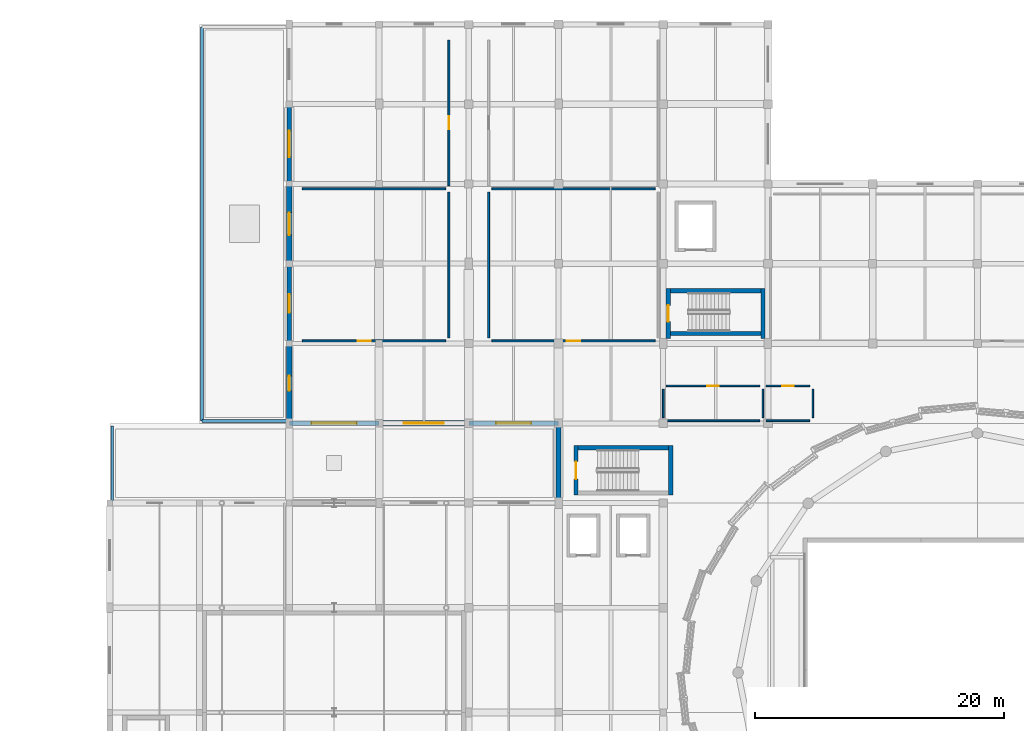
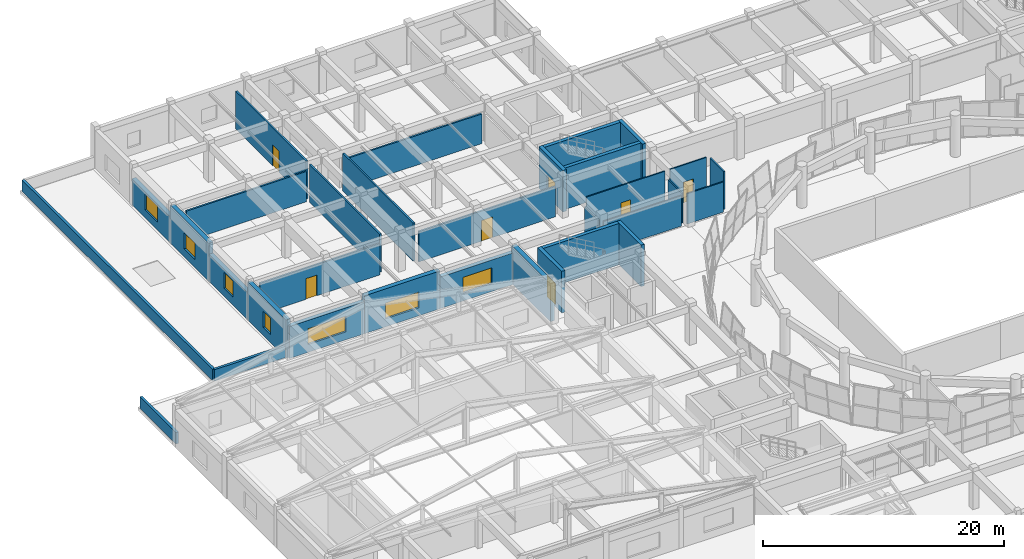
# One storey, part 58 of 74: 32 walls, 7 doors, 7 windows, 14 openings.
"""IFC4 building model written with IfcOpenShell, lengths in metres."""

from ifc_helpers import new_model, si_unit, direction, frame, frame_2d, origin, place, context, subcontext, project, spatial, rectangle, extrude, material, layer, layer_set, type_object, element, fill, save


model = new_model("IFC4")

# Units and contexts
model_context = context("Model", 3, precision=1e-05, world=origin(), true_north=direction((0.0, 1.0)))
body_context = subcontext(model_context, "Body", "Model", "MODEL_VIEW")
ifc_project = project(units=[si_unit("LENGTHUNIT", "METRE"), si_unit("AREAUNIT", "SQUARE_METRE"), si_unit("VOLUMEUNIT", "CUBIC_METRE"), si_unit("PLANEANGLEUNIT", "RADIAN"), si_unit("MASSUNIT", "GRAM", prefix="KILO")], contexts=[model_context])

# Site, building, storey
site_placement = place(None, origin())
site = spatial("IfcSite", under=ifc_project, at=site_placement, CompositionType="ELEMENT")
building_placement = place(site_placement, origin())
building = spatial("IfcBuilding", under=site, at=building_placement, Name="Korsvaeld Concert Hall", CompositionType="ELEMENT")
storey_placement = place(building_placement, frame((0.0, 0.0, 9.0)))
storey = spatial("IfcBuildingStorey", under=building, at=storey_placement, Name="L02", CompositionType="ELEMENT", Elevation=9.0)

# Walls
ifc_material_1 = material(Name="Concrete C40/50", Category="concrete")
ifc_layer_1 = layer(ifc_material_1, 0.340087890625)
ifc_layer_set_1 = layer_set([ifc_layer_1], Name="Concrete C40/50")
wall_type_1 = type_object("IfcWallType", Name="WL-CORE-340", PredefinedType="SHEAR", material=ifc_layer_set_1)
wall_1_placement = place(storey_placement, frame((59.39990234375, 77.429931640625, 0.0), z_axis=(0.0, 0.0, 1.0), x_axis=(0.0, 1.0, 0.0)))
element("IfcWall", 1, at=wall_1_placement, inside=storey, type_object=wall_type_1, Name="Core K1 shear wall L02 E", PredefinedType="SHEAR", context=body_context, shape_type="SweptSolid", body=[
    extrude(rectangle(XDim=3.97998046875, YDim=0.340087890625, at=frame_2d((1.989990234375, 0.0))), origin(), (0.0, 0.0, 1.0), 4.199951171875),
])
wall_2_placement = place(storey_placement, frame((59.22998046875, 81.239990234375, 0.0), z_axis=(0.0, 0.0, 1.0), x_axis=(-1.0, 0.0, 0.0)))
element("IfcWall", 2, at=wall_2_placement, inside=storey, type_object=wall_type_1, Name="Core K1 shear wall L02 N", PredefinedType="SHEAR", context=body_context, shape_type="SweptSolid", body=[
    extrude(rectangle(XDim=7.260009765625, YDim=0.340087890625, at=frame_2d((3.6298828125, 0.0))), origin(), (0.0, 0.0, 1.0), 4.199951171875),
])

# Wall, opening, door
wall_3_placement = place(storey_placement, frame((51.800048828125, 81.409912109375, 0.0), z_axis=(0.0, 0.0, 1.0), x_axis=(0.0, -1.0, 0.0)))
wall_3 = element("IfcWall", 3, at=wall_3_placement, inside=storey, type_object=wall_type_1, Name="Core K1 shear wall L02 W", PredefinedType="SHEAR", context=body_context, shape_type="SweptSolid", body=[
    extrude(rectangle(XDim=3.97998046875, YDim=0.340087890625, at=frame_2d((1.989990234375, 0.0))), origin(), (0.0, 0.0, 1.0), 4.199951171875),
])
opening_1_placement = place(wall_3_placement, frame((1.2900390625, 0.0, 0.0)))
opening_1 = element("IfcOpeningElement", 4, at=opening_1_placement, cuts=wall_3, Name="Opening FD-02", PredefinedType="OPENING", context=body_context, shape_type="SweptSolid", body=[
    extrude(rectangle(XDim=1.39990234375, YDim=2.14990234375, at=frame_2d((0.699951171875, 1.074951171875))), frame((0.0, 0.18017578125, 0.0), z_axis=(0.0, -1.0, 0.0), x_axis=(1.0, 0.0, 0.0)), (0.0, 0.0, 1.0), 0.360107421875),
])
ifc_material_2 = material(Name="Acoustic steel and oak fire door", Category="steel")
door_type_1 = type_object("IfcDoorType", Name="DR-FD-STAIR-140x215", OperationType="NOTDEFINED", PredefinedType="DOOR", material=ifc_material_2)
door_1_placement = place(opening_1_placement, origin())
door_1 = element("IfcDoor", 5, at=door_1_placement, inside=storey, type_object=door_type_1, Name="Escape stair ST-K1 fire door L02", OperationType="SINGLE_SWING_RIGHT", OverallHeight=2.14990234375, OverallWidth=1.39990234375, PredefinedType="DOOR", context=body_context, shape_type="SweptSolid", body=[
    extrude(rectangle(XDim=1.39990234375, YDim=2.14990234375, at=frame_2d((0.699951171875, 1.074951171875))), frame((0.0, 0.02490234375, 0.0), z_axis=(0.0, -1.0, 0.0), x_axis=(1.0, 0.0, 0.0)), (0.0, 0.0, 1.0), 0.050048828125),
])
fill(opening_1, door_1)

# Walls
wall_4_placement = place(storey_placement, frame((59.3701171875, 90.39990234375, 0.0), z_axis=(0.0, 0.0, 1.0), x_axis=(1.0, 0.0, 0.0)))
element("IfcWall", 6, at=wall_4_placement, inside=storey, type_object=wall_type_1, Name="Core K5 shear wall L02 S", PredefinedType="SHEAR", context=body_context, shape_type="SweptSolid", body=[
    extrude(rectangle(XDim=7.259765625, YDim=0.340087890625, at=frame_2d((3.6298828125, 0.0))), origin(), (0.0, 0.0, 1.0), 4.199951171875),
])
wall_5_placement = place(storey_placement, frame((66.800048828125, 90.0, 0.0), z_axis=(0.0, 0.0, 1.0), x_axis=(0.0, 1.0, 0.0)))
element("IfcWall", 7, at=wall_5_placement, inside=storey, type_object=wall_type_1, Name="Core K5 shear wall L02 E", PredefinedType="SHEAR", context=body_context, shape_type="SweptSolid", body=[
    extrude(rectangle(XDim=4.010009765625, YDim=0.340087890625, at=frame_2d((2.0048828125, 0.0))), origin(), (0.0, 0.0, 1.0), 4.199951171875),
])
wall_6_placement = place(storey_placement, frame((66.6298828125, 93.840087890625, 0.0), z_axis=(0.0, 0.0, 1.0), x_axis=(-1.0, 0.0, 0.0)))
element("IfcWall", 8, at=wall_6_placement, inside=storey, type_object=wall_type_1, Name="Core K5 shear wall L02 N", PredefinedType="SHEAR", context=body_context, shape_type="SweptSolid", body=[
    extrude(rectangle(XDim=7.259765625, YDim=0.340087890625, at=frame_2d((3.6298828125, 0.0))), origin(), (0.0, 0.0, 1.0), 4.199951171875),
])

# Wall, opening, door
wall_7_placement = place(storey_placement, frame((59.199951171875, 94.010009765625, 0.0), z_axis=(0.0, 0.0, 1.0), x_axis=(0.0, -1.0, 0.0)))
wall_7 = element("IfcWall", 9, at=wall_7_placement, inside=storey, type_object=wall_type_1, Name="Core K5 shear wall L02 W", PredefinedType="SHEAR", context=body_context, shape_type="SweptSolid", body=[
    extrude(rectangle(XDim=4.010009765625, YDim=0.340087890625, at=frame_2d((2.0048828125, 0.0))), origin(), (0.0, 0.0, 1.0), 4.199951171875),
])
opening_2_placement = place(wall_7_placement, frame((1.35498046875, 0.0, 0.0)))
opening_2 = element("IfcOpeningElement", 10, at=opening_2_placement, cuts=wall_7, Name="Opening FD-01", PredefinedType="OPENING", context=body_context, shape_type="SweptSolid", body=[
    extrude(rectangle(XDim=1.300048828125, YDim=2.14990234375, at=frame_2d((0.64990234375, 1.074951171875))), frame((0.0, 0.18017578125, 0.0), z_axis=(0.0, -1.0, 0.0), x_axis=(1.0, 0.0, 0.0)), (0.0, 0.0, 1.0), 0.360107421875),
])
door_type_2 = type_object("IfcDoorType", Name="DR-FD-STAIR-130x215", OperationType="NOTDEFINED", PredefinedType="DOOR", material=ifc_material_2)
door_2_placement = place(opening_2_placement, origin())
door_2 = element("IfcDoor", 11, at=door_2_placement, inside=storey, type_object=door_type_2, Name="Escape stair ST-K5 fire door L02", OperationType="SINGLE_SWING_RIGHT", OverallHeight=2.14990234375, OverallWidth=1.300048828125, PredefinedType="DOOR", context=body_context, shape_type="SweptSolid", body=[
    extrude(rectangle(XDim=1.300048828125, YDim=2.14990234375, at=frame_2d((0.64990234375, 1.074951171875))), frame((0.0, 0.02490234375, 0.0), z_axis=(0.0, -1.0, 0.0), x_axis=(1.0, 0.0, 0.0)), (0.0, 0.0, 1.0), 0.050048828125),
])
fill(opening_2, door_2)

# Wall, opening, window
ifc_material_3 = material(Name="Obernkirchener buff sandstone rainscreen on Concrete C35/45", Category="masonry")
ifc_layer_2 = layer(ifc_material_3, 0.389892578125)
ifc_layer_set_2 = layer_set([ifc_layer_2], Name="Obernkirchener buff sandstone rainscreen on Concrete C35/45")
wall_type_2 = type_object("IfcWallType", Name="WL-EXT-BUFF-390", PredefinedType="STANDARD", material=ifc_layer_set_2)
wall_8_placement = place(storey_placement, frame((50.39990234375, 83.199951171875, 0.0), z_axis=(0.0, 0.0, 1.0), x_axis=(-1.0, 0.0, 0.0)))
wall_8 = element("IfcWall", 12, at=wall_8_placement, inside=storey, type_object=wall_type_2, Name="Exterior sandstone wall L02-230", PredefinedType="STANDARD", context=body_context, shape_type="SweptSolid", body=[
    extrude(rectangle(XDim=7.199951171875, YDim=0.389892578125, at=frame_2d((3.60009765625, 0.0))), origin(), (0.0, 0.0, 1.0), 3.18994140625),
])
opening_3_placement = place(wall_8_placement, frame((2.199951171875, 0.0, 0.800048828125)))
opening_3 = element("IfcOpeningElement", 13, at=opening_3_placement, cuts=wall_8, Name="Opening WN-14", PredefinedType="OPENING", context=body_context, shape_type="SweptSolid", body=[
    extrude(rectangle(XDim=2.800048828125, YDim=1.60009765625, at=frame_2d((1.39990234375, 0.800048828125))), frame((0.0, 0.205078125, 0.0), z_axis=(0.0, -1.0, 0.0), x_axis=(1.0, 0.0, 0.0)), (0.0, 0.0, 1.0), 0.409912109375),
])
ifc_material_4 = material(Name="Anodised bronze frame with acoustic triple glazing", Category="glass")
window_type_1 = type_object("IfcWindowType", Name="WIN-AC-280x160", PartitioningType="TRIPLE_PANEL_VERTICAL", PredefinedType="WINDOW", material=ifc_material_4)
window_1_placement = place(opening_3_placement, origin())
window_1 = element("IfcWindow", 14, at=window_1_placement, inside=storey, type_object=window_type_1, Name="Acoustic triple-glazed window L02-134", OverallHeight=1.60009765625, OverallWidth=2.800048828125, PartitioningType="TRIPLE_PANEL_VERTICAL", PredefinedType="WINDOW", context=body_context, shape_type="SweptSolid", body=[
    extrude(rectangle(XDim=2.800048828125, YDim=1.60009765625, at=frame_2d((1.39990234375, 0.800048828125))), frame((0.0, 0.030029296875, 0.0), z_axis=(0.0, -1.0, 0.0), x_axis=(1.0, 0.0, 0.0)), (0.0, 0.0, 1.0), 0.06005859375),
])
fill(opening_3, window_1)

wall_9_placement = place(storey_placement, frame((36.0, 83.199951171875, 0.0), z_axis=(0.0, 0.0, 1.0), x_axis=(-1.0, 0.0, 0.0)))
wall_9 = element("IfcWall", 15, at=wall_9_placement, inside=storey, type_object=wall_type_2, Name="Exterior sandstone wall L02-232", PredefinedType="STANDARD", context=body_context, shape_type="SweptSolid", body=[
    extrude(rectangle(XDim=7.199951171875, YDim=0.389892578125, at=frame_2d((3.60009765625, 0.0))), origin(), (0.0, 0.0, 1.0), 3.239990234375),
])
opening_4_placement = place(wall_9_placement, frame((1.800048828125, 0.0, 0.800048828125)))
opening_4 = element("IfcOpeningElement", 16, at=opening_4_placement, cuts=wall_9, Name="Opening WN-16", PredefinedType="OPENING", context=body_context, shape_type="SweptSolid", body=[
    extrude(rectangle(XDim=3.60009765625, YDim=1.60009765625, at=frame_2d((1.800048828125, 0.800048828125))), frame((0.0, 0.205078125, 0.0), z_axis=(0.0, -1.0, 0.0), x_axis=(1.0, 0.0, 0.0)), (0.0, 0.0, 1.0), 0.409912109375),
])
window_type_2 = type_object("IfcWindowType", Name="WIN-AC-360x160", PartitioningType="TRIPLE_PANEL_VERTICAL", PredefinedType="WINDOW", material=ifc_material_4)
window_2_placement = place(opening_4_placement, origin())
window_2 = element("IfcWindow", 17, at=window_2_placement, inside=storey, type_object=window_type_2, Name="Acoustic triple-glazed window L02-136", OverallHeight=1.60009765625, OverallWidth=3.60009765625, PartitioningType="TRIPLE_PANEL_VERTICAL", PredefinedType="WINDOW", context=body_context, shape_type="SweptSolid", body=[
    extrude(rectangle(XDim=3.60009765625, YDim=1.60009765625, at=frame_2d((1.800048828125, 0.800048828125))), frame((0.0, 0.030029296875, 0.0), z_axis=(0.0, -1.0, 0.0), x_axis=(1.0, 0.0, 0.0)), (0.0, 0.0, 1.0), 0.06005859375),
])
fill(opening_4, window_2)

wall_10_placement = place(storey_placement, frame((28.800048828125, 89.60009765625, 0.0), z_axis=(0.0, 0.0, 1.0), x_axis=(0.0, 1.0, 0.0)))
wall_10 = element("IfcWall", 18, at=wall_10_placement, inside=storey, type_object=wall_type_2, Name="Exterior sandstone wall L02-234", PredefinedType="STANDARD", context=body_context, shape_type="SweptSolid", body=[
    extrude(rectangle(XDim=6.39990234375, YDim=0.389892578125, at=frame_2d((3.199951171875, 0.0))), origin(), (0.0, 0.0, 1.0), 2.739990234375),
])
opening_5_placement = place(wall_10_placement, frame((2.449951171875, 0.0, 0.800048828125)))
opening_5 = element("IfcOpeningElement", 19, at=opening_5_placement, cuts=wall_10, Name="Opening WN-02", PredefinedType="OPENING", context=body_context, shape_type="SweptSolid", body=[
    extrude(rectangle(XDim=1.5, YDim=1.64990234375, at=frame_2d((0.75, 0.824951171875))), frame((0.0, 0.205078125, 0.0), z_axis=(0.0, -1.0, 0.0), x_axis=(1.0, 0.0, 0.0)), (0.0, 0.0, 1.0), 0.409912109375),
])
window_type_3 = type_object("IfcWindowType", Name="WIN-AC-150x165", PartitioningType="SINGLE_PANEL", PredefinedType="WINDOW", material=ifc_material_4)
window_3_placement = place(opening_5_placement, origin())
window_3 = element("IfcWindow", 20, at=window_3_placement, inside=storey, type_object=window_type_3, Name="Acoustic triple-glazed window L02-138", OverallHeight=1.64990234375, OverallWidth=1.5, PartitioningType="SINGLE_PANEL", PredefinedType="WINDOW", context=body_context, shape_type="SweptSolid", body=[
    extrude(rectangle(XDim=1.5, YDim=1.64990234375, at=frame_2d((0.75, 0.824951171875))), frame((0.0, 0.030029296875, 0.0), z_axis=(0.0, -1.0, 0.0), x_axis=(1.0, 0.0, 0.0)), (0.0, 0.0, 1.0), 0.06005859375),
])
fill(opening_5, window_3)

wall_11_placement = place(storey_placement, frame((28.800048828125, 102.39990234375, 0.0), z_axis=(0.0, 0.0, 1.0), x_axis=(0.0, 1.0, 0.0)))
wall_11 = element("IfcWall", 21, at=wall_11_placement, inside=storey, type_object=wall_type_2, Name="Exterior sandstone wall L02-236", PredefinedType="STANDARD", context=body_context, shape_type="SweptSolid", body=[
    extrude(rectangle(XDim=6.400146484375, YDim=0.389892578125, at=frame_2d((3.2001953125, 0.0))), origin(), (0.0, 0.0, 1.0), 2.639892578125),
])
opening_6_placement = place(wall_11_placement, frame((2.14990234375, 0.0, 0.800048828125)))
opening_6 = element("IfcOpeningElement", 22, at=opening_6_placement, cuts=wall_11, Name="Opening WN-04", PredefinedType="OPENING", context=body_context, shape_type="SweptSolid", body=[
    extrude(rectangle(XDim=2.10009765625, YDim=1.64990234375, at=frame_2d((1.050048828125, 0.824951171875))), frame((0.0, 0.205078125, 0.0), z_axis=(0.0, -1.0, 0.0), x_axis=(1.0, 0.0, 0.0)), (0.0, 0.0, 1.0), 0.409912109375),
])
window_type_4 = type_object("IfcWindowType", Name="WIN-AC-210x165", PartitioningType="SINGLE_PANEL", PredefinedType="WINDOW", material=ifc_material_4)
window_4_placement = place(opening_6_placement, origin())
window_4 = element("IfcWindow", 23, at=window_4_placement, inside=storey, type_object=window_type_4, Name="Acoustic triple-glazed window L02-140", OverallHeight=1.64990234375, OverallWidth=2.10009765625, PartitioningType="SINGLE_PANEL", PredefinedType="WINDOW", context=body_context, shape_type="SweptSolid", body=[
    extrude(rectangle(XDim=2.10009765625, YDim=1.64990234375, at=frame_2d((1.050048828125, 0.824951171875))), frame((0.0, 0.030029296875, 0.0), z_axis=(0.0, -1.0, 0.0), x_axis=(1.0, 0.0, 0.0)), (0.0, 0.0, 1.0), 0.06005859375),
])
fill(opening_6, window_4)

# Wall
ifc_material_5 = material(Name="Bornholm Nexo rose-red sandstone rainscreen on Concrete C35/45", Category="masonry")
ifc_layer_3 = layer(ifc_material_5, 0.419921875)
ifc_layer_set_3 = layer_set([ifc_layer_3], Name="Bornholm Nexo rose-red sandstone rainscreen on Concrete C35/45")
wall_type_3 = type_object("IfcWallType", Name="WL-EXT-NEXO-420", PredefinedType="STANDARD", material=ifc_layer_set_3)
wall_12_placement = place(storey_placement, frame((50.39990234375, 76.800048828125, 0.0), z_axis=(0.0, 0.0, 1.0), x_axis=(0.0, 1.0, 0.0)))
element("IfcWall", 24, at=wall_12_placement, inside=storey, type_object=wall_type_3, Name="Exterior sandstone wall L02-229", PredefinedType="STANDARD", context=body_context, shape_type="SweptSolid", body=[
    extrude(rectangle(XDim=6.39990234375, YDim=0.419921875, at=frame_2d((3.199951171875, 0.0))), origin(), (0.0, 0.0, 1.0), 3.840087890625),
])

# Wall, opening, window
wall_13_placement = place(storey_placement, frame((43.199951171875, 83.199951171875, 0.0), z_axis=(0.0, 0.0, 1.0), x_axis=(-1.0, 0.0, 0.0)))
wall_13 = element("IfcWall", 25, at=wall_13_placement, inside=storey, type_object=wall_type_3, Name="Exterior sandstone wall L02-231", PredefinedType="STANDARD", context=body_context, shape_type="SweptSolid", body=[
    extrude(rectangle(XDim=7.199951171875, YDim=0.419921875, at=frame_2d((3.60009765625, 0.0))), origin(), (0.0, 0.0, 1.0), 3.840087890625),
])
opening_7_placement = place(wall_13_placement, frame((2.0, 0.0, 0.800048828125)))
opening_7 = element("IfcOpeningElement", 26, at=opening_7_placement, cuts=wall_13, Name="Opening WN-15", PredefinedType="OPENING", context=body_context, shape_type="SweptSolid", body=[
    extrude(rectangle(XDim=3.199951171875, YDim=1.60009765625, at=frame_2d((1.60009765625, 0.800048828125))), frame((0.0, 0.219970703125, 0.0), z_axis=(0.0, -1.0, 0.0), x_axis=(1.0, 0.0, 0.0)), (0.0, 0.0, 1.0), 0.43994140625),
])
window_type_5 = type_object("IfcWindowType", Name="WIN-AC-320x160", PartitioningType="TRIPLE_PANEL_VERTICAL", PredefinedType="WINDOW", material=ifc_material_4)
window_5_placement = place(opening_7_placement, origin())
window_5 = element("IfcWindow", 27, at=window_5_placement, inside=storey, type_object=window_type_5, Name="Acoustic triple-glazed window L02-135", OverallHeight=1.60009765625, OverallWidth=3.199951171875, PartitioningType="TRIPLE_PANEL_VERTICAL", PredefinedType="WINDOW", context=body_context, shape_type="SweptSolid", body=[
    extrude(rectangle(XDim=3.199951171875, YDim=1.60009765625, at=frame_2d((1.60009765625, 0.800048828125))), frame((0.0, 0.030029296875, 0.0), z_axis=(0.0, -1.0, 0.0), x_axis=(1.0, 0.0, 0.0)), (0.0, 0.0, 1.0), 0.06005859375),
])
fill(opening_7, window_5)

wall_14_placement = place(storey_placement, frame((28.800048828125, 83.199951171875, 0.0), z_axis=(0.0, 0.0, 1.0), x_axis=(0.0, 1.0, 0.0)))
wall_14 = element("IfcWall", 28, at=wall_14_placement, inside=storey, type_object=wall_type_3, Name="Exterior sandstone wall L02-233", PredefinedType="STANDARD", context=body_context, shape_type="SweptSolid", body=[
    extrude(rectangle(XDim=6.400146484375, YDim=0.419921875, at=frame_2d((3.2001953125, 0.0))), origin(), (0.0, 0.0, 1.0), 3.840087890625),
])
opening_8_placement = place(wall_14_placement, frame((2.60009765625, 0.0, 0.800048828125)))
opening_8 = element("IfcOpeningElement", 29, at=opening_8_placement, cuts=wall_14, Name="Opening WN-01", PredefinedType="OPENING", context=body_context, shape_type="SweptSolid", body=[
    extrude(rectangle(XDim=1.199951171875, YDim=1.64990234375, at=frame_2d((0.60009765625, 0.824951171875))), frame((0.0, 0.219970703125, 0.0), z_axis=(0.0, -1.0, 0.0), x_axis=(1.0, 0.0, 0.0)), (0.0, 0.0, 1.0), 0.43994140625),
])
window_type_6 = type_object("IfcWindowType", Name="WIN-AC-120x165", PartitioningType="SINGLE_PANEL", PredefinedType="WINDOW", material=ifc_material_4)
window_6_placement = place(opening_8_placement, origin())
window_6 = element("IfcWindow", 30, at=window_6_placement, inside=storey, type_object=window_type_6, Name="Acoustic triple-glazed window L02-137", OverallHeight=1.64990234375, OverallWidth=1.199951171875, PartitioningType="SINGLE_PANEL", PredefinedType="WINDOW", context=body_context, shape_type="SweptSolid", body=[
    extrude(rectangle(XDim=1.199951171875, YDim=1.64990234375, at=frame_2d((0.60009765625, 0.824951171875))), frame((0.0, 0.030029296875, 0.0), z_axis=(0.0, -1.0, 0.0), x_axis=(1.0, 0.0, 0.0)), (0.0, 0.0, 1.0), 0.06005859375),
])
fill(opening_8, window_6)

wall_15_placement = place(storey_placement, frame((28.800048828125, 96.0, 0.0), z_axis=(0.0, 0.0, 1.0), x_axis=(0.0, 1.0, 0.0)))
wall_15 = element("IfcWall", 31, at=wall_15_placement, inside=storey, type_object=wall_type_3, Name="Exterior sandstone wall L02-235", PredefinedType="STANDARD", context=body_context, shape_type="SweptSolid", body=[
    extrude(rectangle(XDim=6.39990234375, YDim=0.419921875, at=frame_2d((3.199951171875, 0.0))), origin(), (0.0, 0.0, 1.0), 3.840087890625),
])
opening_9_placement = place(wall_15_placement, frame((2.300048828125, 0.0, 0.800048828125)))
opening_9 = element("IfcOpeningElement", 32, at=opening_9_placement, cuts=wall_15, Name="Opening WN-03", PredefinedType="OPENING", context=body_context, shape_type="SweptSolid", body=[
    extrude(rectangle(XDim=1.800048828125, YDim=1.64990234375, at=frame_2d((0.89990234375, 0.824951171875))), frame((0.0, 0.219970703125, 0.0), z_axis=(0.0, -1.0, 0.0), x_axis=(1.0, 0.0, 0.0)), (0.0, 0.0, 1.0), 0.43994140625),
])
window_type_7 = type_object("IfcWindowType", Name="WIN-AC-180x165", PartitioningType="SINGLE_PANEL", PredefinedType="WINDOW", material=ifc_material_4)
window_7_placement = place(opening_9_placement, origin())
window_7 = element("IfcWindow", 33, at=window_7_placement, inside=storey, type_object=window_type_7, Name="Acoustic triple-glazed window L02-139", OverallHeight=1.64990234375, OverallWidth=1.800048828125, PartitioningType="SINGLE_PANEL", PredefinedType="WINDOW", context=body_context, shape_type="SweptSolid", body=[
    extrude(rectangle(XDim=1.800048828125, YDim=1.64990234375, at=frame_2d((0.89990234375, 0.824951171875))), frame((0.0, 0.030029296875, 0.0), z_axis=(0.0, -1.0, 0.0), x_axis=(1.0, 0.0, 0.0)), (0.0, 0.0, 1.0), 0.06005859375),
])
fill(opening_9, window_7)

# Walls
ifc_material_6 = material(Name="Bornholm Nexo sandstone parapet on Concrete C35/45", Category="masonry")
ifc_layer_4 = layer(ifc_material_6, 0.239990234375)
ifc_layer_set_4 = layer_set([ifc_layer_4], Name="Bornholm Nexo sandstone parapet on Concrete C35/45")
wall_type_4 = type_object("IfcWallType", Name="WL-PARAPET-240", PredefinedType="PARAPET", material=ifc_layer_set_4)
wall_16_placement = place(storey_placement, frame((21.800048828125, 83.39990234375, 0.0), z_axis=(0.0, 0.0, 1.0), x_axis=(1.0, 0.0, 0.0)))
element("IfcWall", 34, at=wall_16_placement, inside=storey, type_object=wall_type_4, Name="Roof parapet SLB-ROOF_L02_NW-1", PredefinedType="PARAPET", context=body_context, shape_type="SweptSolid", body=[
    extrude(rectangle(XDim=6.800048828125, YDim=0.239990234375, at=frame_2d((3.39990234375, 0.0))), origin(), (0.0, 0.0, 1.0), 1.14990234375),
])
wall_17_placement = place(storey_placement, frame((21.800048828125, 115.0, 0.0), z_axis=(0.0, 0.0, 1.0), x_axis=(0.0, -1.0, 0.0)))
element("IfcWall", 35, at=wall_17_placement, inside=storey, type_object=wall_type_4, Name="Roof parapet SLB-ROOF_L02_NW-4", PredefinedType="PARAPET", context=body_context, shape_type="SweptSolid", body=[
    extrude(rectangle(XDim=31.60009765625, YDim=0.239990234375, at=frame_2d((15.800048828125, 0.0))), origin(), (0.0, 0.0, 1.0), 1.14990234375),
])
wall_18_placement = place(storey_placement, frame((14.60009765625, 83.0, 0.0), z_axis=(0.0, 0.0, 1.0), x_axis=(0.0, -1.0, 0.0)))
element("IfcWall", 36, at=wall_18_placement, inside=storey, type_object=wall_type_4, Name="Roof parapet SLB-ROOF_L02_V3N-4", PredefinedType="PARAPET", context=body_context, shape_type="SweptSolid", body=[
    extrude(rectangle(XDim=6.0, YDim=0.239990234375, at=frame_2d((3.0, 0.0))), origin(), (0.0, 0.0, 1.0), 1.14990234375),
])
ifc_material_7 = material(Name="Insulated acoustic gypsum partition")
ifc_layer_5 = layer(ifc_material_7, 0.125)
ifc_layer_set_5 = layer_set([ifc_layer_5], Name="Insulated acoustic gypsum partition")
wall_type_5 = type_object("IfcWallType", Name="WL-PART-125", PredefinedType="PARTITIONING", material=ifc_layer_set_5)
wall_19_placement = place(storey_placement, frame((59.06005859375, 83.39990234375, 0.0), z_axis=(0.0, 0.0, 1.0), x_axis=(1.0, 0.0, 0.0)))
element("IfcWall", 37, at=wall_19_placement, inside=storey, type_object=wall_type_5, Name="Interior partition L02-19 S", PredefinedType="PARTITIONING", context=body_context, shape_type="SweptSolid", body=[
    extrude(rectangle(XDim=7.47998046875, YDim=0.125, at=frame_2d((3.739990234375, 0.0))), origin(), (0.0, 0.0, 1.0), 3.06494140625),
])
wall_20_placement = place(storey_placement, frame((66.800048828125, 83.659912109375, 0.0), z_axis=(0.0, 0.0, 1.0), x_axis=(0.0, 1.0, 0.0)))
element("IfcWall", 38, at=wall_20_placement, inside=storey, type_object=wall_type_5, Name="Interior partition L02-19 E", PredefinedType="PARTITIONING", context=body_context, shape_type="SweptSolid", body=[
    extrude(rectangle(XDim=2.280029296875, YDim=0.125, at=frame_2d((1.14013671875, 0.0))), origin(), (0.0, 0.0, 1.0), 3.014892578125),
])

# Wall, opening, door
wall_21_placement = place(storey_placement, frame((66.5400390625, 86.199951171875, 0.0), z_axis=(0.0, 0.0, 1.0), x_axis=(-1.0, 0.0, 0.0)))
wall_21 = element("IfcWall", 39, at=wall_21_placement, inside=storey, type_object=wall_type_5, Name="Interior partition L02-19 N", PredefinedType="PARTITIONING", context=body_context, shape_type="SweptSolid", body=[
    extrude(rectangle(XDim=7.47998046875, YDim=0.125, at=frame_2d((3.739990234375, 0.0))), origin(), (0.0, 0.0, 1.0), 3.840087890625),
])
opening_10_placement = place(wall_21_placement, frame((3.27001953125, 0.0, 0.0)))
opening_10 = element("IfcOpeningElement", 40, at=opening_10_placement, cuts=wall_21, Name="Opening ID-05", PredefinedType="OPENING", context=body_context, shape_type="SweptSolid", body=[
    extrude(rectangle(XDim=0.93994140625, YDim=2.10009765625, at=frame_2d((0.469970703125, 1.050048828125))), frame((0.0, 0.072509765625, 0.0), z_axis=(0.0, -1.0, 0.0), x_axis=(1.0, 0.0, 0.0)), (0.0, 0.0, 1.0), 0.14501953125),
])
ifc_material_8 = material(Name="Accessible washroom oak door")
door_type_3 = type_object("IfcDoorType", Name="DR-INT-WC-094x210", OperationType="NOTDEFINED", PredefinedType="DOOR", material=ifc_material_8)
door_3_placement = place(opening_10_placement, origin())
door_3 = element("IfcDoor", 41, at=door_3_placement, inside=storey, type_object=door_type_3, Name="Public Male & Female WC L02 West door L02-19", OperationType="SINGLE_SWING_RIGHT", OverallHeight=2.10009765625, OverallWidth=0.93994140625, PredefinedType="DOOR", context=body_context, shape_type="SweptSolid", body=[
    extrude(rectangle(XDim=0.93994140625, YDim=2.10009765625, at=frame_2d((0.469970703125, 1.050048828125))), frame((0.0, 0.02490234375, 0.0), z_axis=(0.0, -1.0, 0.0), x_axis=(1.0, 0.0, 0.0)), (0.0, 0.0, 1.0), 0.050048828125),
])
fill(opening_10, door_3)

# Walls
wall_22_placement = place(storey_placement, frame((58.800048828125, 85.93994140625, 0.0), z_axis=(0.0, 0.0, 1.0), x_axis=(0.0, -1.0, 0.0)))
element("IfcWall", 42, at=wall_22_placement, inside=storey, type_object=wall_type_5, Name="Interior partition L02-19 W", PredefinedType="PARTITIONING", context=body_context, shape_type="SweptSolid", body=[
    extrude(rectangle(XDim=2.280029296875, YDim=0.125, at=frame_2d((1.14013671875, 0.0))), origin(), (0.0, 0.0, 1.0), 3.114990234375),
])
wall_23_placement = place(storey_placement, frame((67.06005859375, 83.39990234375, 0.0), z_axis=(0.0, 0.0, 1.0), x_axis=(1.0, 0.0, 0.0)))
element("IfcWall", 43, at=wall_23_placement, inside=storey, type_object=wall_type_5, Name="Interior partition L02-20 S", PredefinedType="PARTITIONING", context=body_context, shape_type="SweptSolid", body=[
    extrude(rectangle(XDim=3.47998046875, YDim=0.125, at=frame_2d((1.739990234375, 0.0))), origin(), (0.0, 0.0, 1.0), 3.06494140625),
])
wall_24_placement = place(storey_placement, frame((70.800048828125, 83.659912109375, 0.0), z_axis=(0.0, 0.0, 1.0), x_axis=(0.0, 1.0, 0.0)))
element("IfcWall", 44, at=wall_24_placement, inside=storey, type_object=wall_type_5, Name="Interior partition L02-20 E", PredefinedType="PARTITIONING", context=body_context, shape_type="SweptSolid", body=[
    extrude(rectangle(XDim=2.280029296875, YDim=0.125, at=frame_2d((1.14013671875, 0.0))), origin(), (0.0, 0.0, 1.0), 3.840087890625),
])

# Wall, opening, door
wall_25_placement = place(storey_placement, frame((70.5400390625, 86.199951171875, 0.0), z_axis=(0.0, 0.0, 1.0), x_axis=(-1.0, 0.0, 0.0)))
wall_25 = element("IfcWall", 45, at=wall_25_placement, inside=storey, type_object=wall_type_5, Name="Interior partition L02-20 N", PredefinedType="PARTITIONING", context=body_context, shape_type="SweptSolid", body=[
    extrude(rectangle(XDim=3.47998046875, YDim=0.125, at=frame_2d((1.739990234375, 0.0))), origin(), (0.0, 0.0, 1.0), 3.840087890625),
])
opening_11_placement = place(wall_25_placement, frame((1.27001953125, 0.0, 0.0)))
opening_11 = element("IfcOpeningElement", 46, at=opening_11_placement, cuts=wall_25, Name="Opening ID-05", PredefinedType="OPENING", context=body_context, shape_type="SweptSolid", body=[
    extrude(rectangle(XDim=0.93994140625, YDim=2.10009765625, at=frame_2d((0.469970703125, 1.050048828125))), frame((0.0, 0.072509765625, 0.0), z_axis=(0.0, -1.0, 0.0), x_axis=(1.0, 0.0, 0.0)), (0.0, 0.0, 1.0), 0.14501953125),
])
door_4_placement = place(opening_11_placement, origin())
door_4 = element("IfcDoor", 47, at=door_4_placement, inside=storey, type_object=door_type_3, Name="Accessible WC L02 West door L02-20", OperationType="SINGLE_SWING_LEFT", OverallHeight=2.10009765625, OverallWidth=0.93994140625, PredefinedType="DOOR", context=body_context, shape_type="SweptSolid", body=[
    extrude(rectangle(XDim=0.93994140625, YDim=2.10009765625, at=frame_2d((0.469970703125, 1.050048828125))), frame((0.0, 0.02490234375, 0.0), z_axis=(0.0, -1.0, 0.0), x_axis=(1.0, 0.0, 0.0)), (0.0, 0.0, 1.0), 0.050048828125),
])
fill(opening_11, door_4)

ifc_material_9 = material(Name="Double-stud acoustic rehearsal partition")
ifc_layer_6 = layer(ifc_material_9, 0.159912109375)
ifc_layer_set_6 = layer_set([ifc_layer_6], Name="Double-stud acoustic rehearsal partition")
wall_type_6 = type_object("IfcWallType", Name="WL-PART-160", PredefinedType="PARTITIONING", material=ifc_layer_set_6)
wall_26_placement = place(storey_placement, frame((29.860107421875, 89.800048828125, 0.0), z_axis=(0.0, 0.0, 1.0), x_axis=(1.0, 0.0, 0.0)))
wall_26 = element("IfcWall", 48, at=wall_26_placement, inside=storey, type_object=wall_type_6, Name="Interior partition L02-10 S", PredefinedType="PARTITIONING", context=body_context, shape_type="SweptSolid", body=[
    extrude(rectangle(XDim=11.47998046875, YDim=0.159912109375, at=frame_2d((5.739990234375, 0.0))), origin(), (0.0, 0.0, 1.0), 3.1650390625),
])
opening_12_placement = place(wall_26_placement, frame((4.4150390625, 0.0, 0.0)))
opening_12 = element("IfcOpeningElement", 49, at=opening_12_placement, cuts=wall_26, Name="Opening ID-02", PredefinedType="OPENING", context=body_context, shape_type="SweptSolid", body=[
    extrude(rectangle(XDim=1.050048828125, YDim=2.10009765625, at=frame_2d((0.52490234375, 1.050048828125))), frame((0.0, 0.08984375, 0.0), z_axis=(0.0, -1.0, 0.0), x_axis=(1.0, 0.0, 0.0)), (0.0, 0.0, 1.0), 0.179931640625),
])
ifc_material_10 = material(Name="Solid European oak practice room door")
door_type_4 = type_object("IfcDoorType", Name="DR-INT-PRC-105x210", OperationType="NOTDEFINED", PredefinedType="DOOR", material=ifc_material_10)
door_5_placement = place(opening_12_placement, origin())
door_5 = element("IfcDoor", 50, at=door_5_placement, inside=storey, type_object=door_type_4, Name="Solo Practice Rooms L02-01..04 door L02-10", OperationType="SINGLE_SWING_RIGHT", OverallHeight=2.10009765625, OverallWidth=1.050048828125, PredefinedType="DOOR", context=body_context, shape_type="SweptSolid", body=[
    extrude(rectangle(XDim=1.050048828125, YDim=2.10009765625, at=frame_2d((0.52490234375, 1.050048828125))), frame((0.0, 0.02490234375, 0.0), z_axis=(0.0, -1.0, 0.0), x_axis=(1.0, 0.0, 0.0)), (0.0, 0.0, 1.0), 0.050048828125),
])
fill(opening_12, door_5)

# Walls
wall_27_placement = place(storey_placement, frame((41.60009765625, 90.06005859375, 0.0), z_axis=(0.0, 0.0, 1.0), x_axis=(0.0, 1.0, 0.0)))
element("IfcWall", 51, at=wall_27_placement, inside=storey, type_object=wall_type_6, Name="Interior partition L02-10 E", PredefinedType="PARTITIONING", context=body_context, shape_type="SweptSolid", body=[
    extrude(rectangle(XDim=11.679931640625, YDim=0.159912109375, at=frame_2d((5.83984375, 0.0))), origin(), (0.0, 0.0, 1.0), 3.840087890625),
])
wall_28_placement = place(storey_placement, frame((41.340087890625, 102.0, 0.0), z_axis=(0.0, 0.0, 1.0), x_axis=(-1.0, 0.0, 0.0)))
element("IfcWall", 52, at=wall_28_placement, inside=storey, type_object=wall_type_6, Name="Interior partition L02-10 N", PredefinedType="PARTITIONING", context=body_context, shape_type="SweptSolid", body=[
    extrude(rectangle(XDim=11.47998046875, YDim=0.159912109375, at=frame_2d((5.739990234375, 0.0))), origin(), (0.0, 0.0, 1.0), 3.06494140625),
])

# Wall, opening, door
wall_29_placement = place(storey_placement, frame((45.06005859375, 89.800048828125, 0.0), z_axis=(0.0, 0.0, 1.0), x_axis=(1.0, 0.0, 0.0)))
wall_29 = element("IfcWall", 53, at=wall_29_placement, inside=storey, type_object=wall_type_6, Name="Interior partition L02-11 S", PredefinedType="PARTITIONING", context=body_context, shape_type="SweptSolid", body=[
    extrude(rectangle(XDim=13.079833984375, YDim=0.159912109375, at=frame_2d((6.5400390625, 0.0))), origin(), (0.0, 0.0, 1.0), 3.06494140625),
])
opening_13_placement = place(wall_29_placement, frame((6.014892578125, 0.0, 0.0)))
opening_13 = element("IfcOpeningElement", 54, at=opening_13_placement, cuts=wall_29, Name="Opening ID-02", PredefinedType="OPENING", context=body_context, shape_type="SweptSolid", body=[
    extrude(rectangle(XDim=1.050048828125, YDim=2.10009765625, at=frame_2d((0.52490234375, 1.050048828125))), frame((0.0, 0.08984375, 0.0), z_axis=(0.0, -1.0, 0.0), x_axis=(1.0, 0.0, 0.0)), (0.0, 0.0, 1.0), 0.179931640625),
])
door_6_placement = place(opening_13_placement, origin())
door_6 = element("IfcDoor", 55, at=door_6_placement, inside=storey, type_object=door_type_4, Name="Solo Practice Rooms L02-05..08 door L02-11", OperationType="SINGLE_SWING_LEFT", OverallHeight=2.10009765625, OverallWidth=1.050048828125, PredefinedType="DOOR", context=body_context, shape_type="SweptSolid", body=[
    extrude(rectangle(XDim=1.050048828125, YDim=2.10009765625, at=frame_2d((0.52490234375, 1.050048828125))), frame((0.0, 0.02490234375, 0.0), z_axis=(0.0, -1.0, 0.0), x_axis=(1.0, 0.0, 0.0)), (0.0, 0.0, 1.0), 0.050048828125),
])
fill(opening_13, door_6)

# Walls
wall_30_placement = place(storey_placement, frame((58.139892578125, 102.0, 0.0), z_axis=(0.0, 0.0, 1.0), x_axis=(-1.0, 0.0, 0.0)))
element("IfcWall", 56, at=wall_30_placement, inside=storey, type_object=wall_type_6, Name="Interior partition L02-11 N", PredefinedType="PARTITIONING", context=body_context, shape_type="SweptSolid", body=[
    extrude(rectangle(XDim=13.079833984375, YDim=0.159912109375, at=frame_2d((6.5400390625, 0.0))), origin(), (0.0, 0.0, 1.0), 3.014892578125),
])
wall_31_placement = place(storey_placement, frame((44.800048828125, 101.739990234375, 0.0), z_axis=(0.0, 0.0, 1.0), x_axis=(0.0, -1.0, 0.0)))
element("IfcWall", 57, at=wall_31_placement, inside=storey, type_object=wall_type_6, Name="Interior partition L02-11 W", PredefinedType="PARTITIONING", context=body_context, shape_type="SweptSolid", body=[
    extrude(rectangle(XDim=11.679931640625, YDim=0.159912109375, at=frame_2d((5.83984375, 0.0))), origin(), (0.0, 0.0, 1.0), 3.840087890625),
])

# Wall, opening, door
wall_32_placement = place(storey_placement, frame((41.60009765625, 102.260009765625, 0.0), z_axis=(0.0, 0.0, 1.0), x_axis=(0.0, 1.0, 0.0)))
wall_32 = element("IfcWall", 58, at=wall_32_placement, inside=storey, type_object=wall_type_6, Name="Interior partition L02-12B E", PredefinedType="PARTITIONING", context=body_context, shape_type="SweptSolid", body=[
    extrude(rectangle(XDim=11.679931640625, YDim=0.159912109375, at=frame_2d((5.83984375, 0.0))), origin(), (0.0, 0.0, 1.0), 3.840087890625),
])
opening_14_placement = place(wall_32_placement, frame((4.514892578125, 0.0, 0.0)))
opening_14 = element("IfcOpeningElement", 59, at=opening_14_placement, cuts=wall_32, Name="Opening ID-02", PredefinedType="OPENING", context=body_context, shape_type="SweptSolid", body=[
    extrude(rectangle(XDim=1.050048828125, YDim=2.10009765625, at=frame_2d((0.52490234375, 1.050048828125))), frame((0.0, 0.08984375, 0.0), z_axis=(0.0, -1.0, 0.0), x_axis=(1.0, 0.0, 0.0)), (0.0, 0.0, 1.0), 0.179931640625),
])
door_7_placement = place(opening_14_placement, origin())
door_7 = element("IfcDoor", 60, at=door_7_placement, inside=storey, type_object=door_type_4, Name="Harp & Cello Practice Studios L02 door L02-12B", OperationType="SINGLE_SWING_LEFT", OverallHeight=2.10009765625, OverallWidth=1.050048828125, PredefinedType="DOOR", context=body_context, shape_type="SweptSolid", body=[
    extrude(rectangle(XDim=1.050048828125, YDim=2.10009765625, at=frame_2d((0.52490234375, 1.050048828125))), frame((0.0, 0.02490234375, 0.0), z_axis=(0.0, -1.0, 0.0), x_axis=(1.0, 0.0, 0.0)), (0.0, 0.0, 1.0), 0.050048828125),
])
fill(opening_14, door_7)

save(model, "model.ifc")
